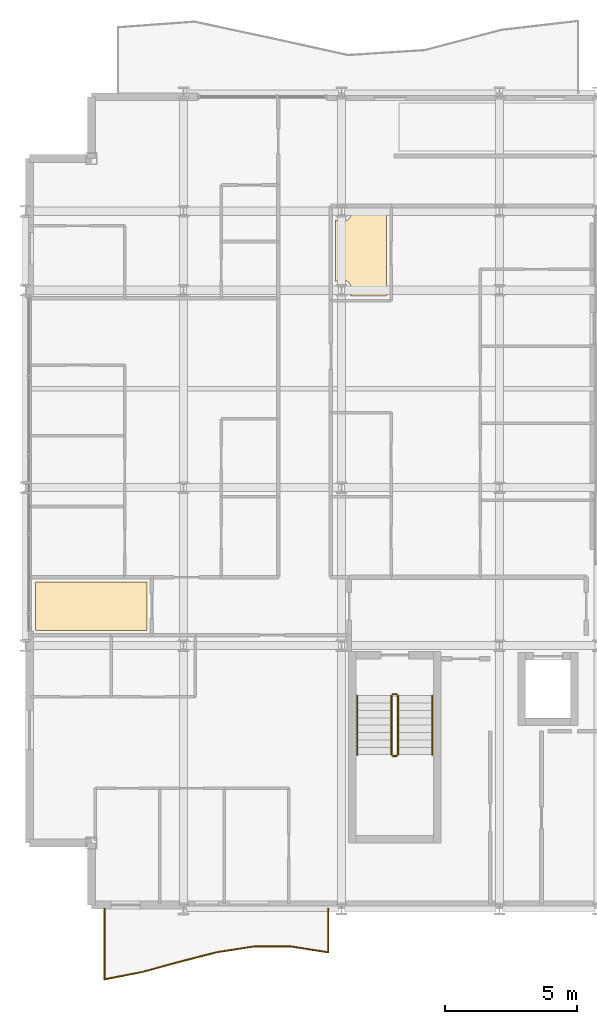
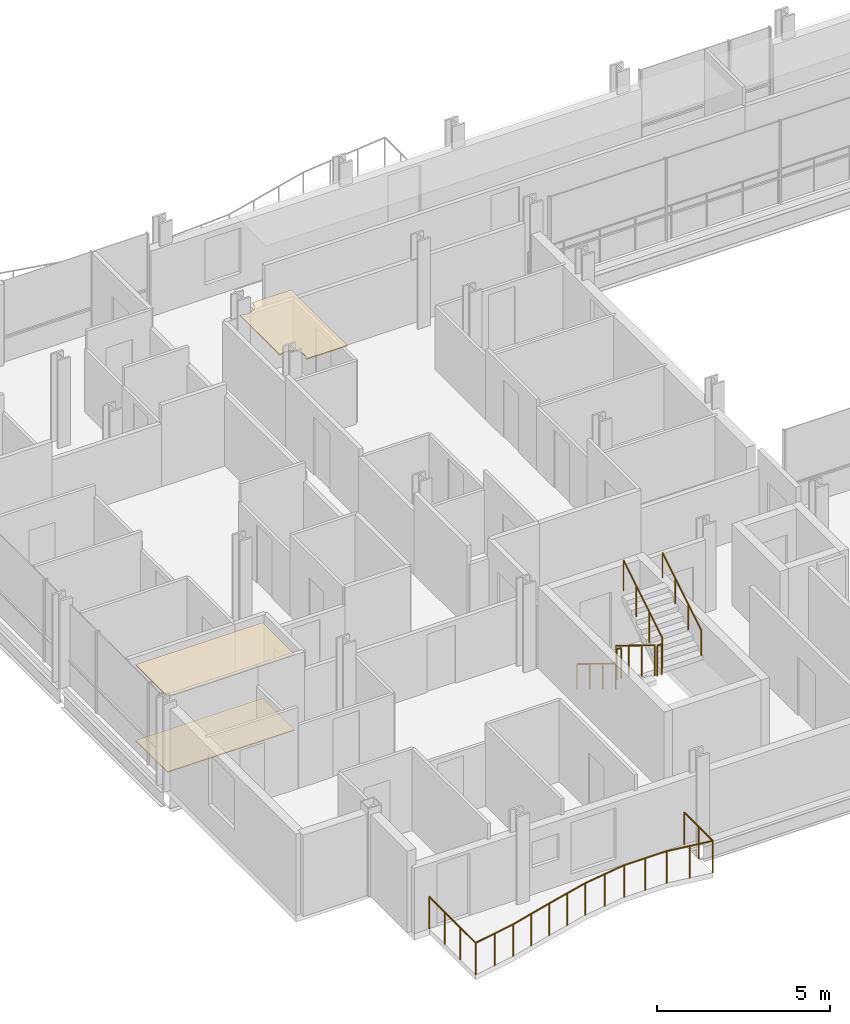
# One storey, part 38 of 41: 7 railings, 3 coverings.
"""IFC4 building model written with IfcOpenShell, lengths in metres."""

from ifc_helpers import new_model, si_unit, direction, frame, origin, origin_2d, place, context, subcontext, project, spatial, polyline, circle, outline, extrude, material, layer, layer_set, type_object, element, save


model = new_model("IFC4")

# Units and contexts
model_context = context("Model", 3, precision=1e-05, world=origin(), true_north=direction((0.0, 1.0)))
body_context = subcontext(model_context, "Body", "Model", "MODEL_VIEW")
ifc_project = project(units=[si_unit("LENGTHUNIT", "METRE"), si_unit("AREAUNIT", "SQUARE_METRE"), si_unit("VOLUMEUNIT", "CUBIC_METRE"), si_unit("PLANEANGLEUNIT", "RADIAN"), si_unit("MASSUNIT", "GRAM", prefix="KILO")], contexts=[model_context])

# Site, building, storey
site_placement = place(None, origin())
site = spatial("IfcSite", under=ifc_project, at=site_placement, CompositionType="ELEMENT")
building_placement = place(site_placement, origin())
building = spatial("IfcBuilding", under=site, at=building_placement, Name="Brevholm Reach", CompositionType="ELEMENT")
storey_placement = place(building_placement, frame((0.0, 0.0, 74.5)))
storey = spatial("IfcBuildingStorey", under=building, at=storey_placement, Name="L21", CompositionType="ELEMENT", Elevation=74.5)

# Coverings
ifc_material_1 = material(Name="Moisture-Resistant Skimmed Gypsum Plasterboard Ceiling", Category="gypsum")
ifc_layer_1 = layer(ifc_material_1, 0.030029296875)
ifc_layer_set_1 = layer_set([ifc_layer_1], Name="Moisture-Resistant Skimmed Gypsum Plasterboard Ceiling")
covering_type_1 = type_object("IfcCoveringType", Name="COV-CLG-GYP", PredefinedType="CEILING", material=ifc_layer_set_1)
covering_1_placement = place(storey_placement, frame((0.0, 0.0, 2.669921875)))
element("IfcCovering", 1, at=covering_1_placement, inside=storey, type_object=covering_type_1, Name="L21 Suspended Ceiling L21-31", PredefinedType="CEILING", context=body_context, shape_type="SweptSolid", body=[
    extrude(outline(polyline([(0.3798828125, 12.419921875), (4.615966796875, 12.419921875), (4.615966796875, 10.583984375), (0.3798828125, 10.583984375), (0.3798828125, 12.419921875)])), origin(), (0.0, 0.0, 1.0), 0.030029296875),
])
covering_2_placement = place(storey_placement, frame((0.0, 0.0, 2.669921875)))
element("IfcCovering", 2, at=covering_2_placement, inside=storey, type_object=covering_type_1, Name="L21 Suspended Ceiling L21-51", PredefinedType="CEILING", context=body_context, shape_type="SweptSolid", body=[
    extrude(outline(polyline([(13.708984375, 23.280029296875), (12.333984375, 23.280029296875), (12.352783203125, 23.311279296875), (12.36962890625, 23.346923828125), (12.3828125, 23.3837890625), (12.392333984375, 23.422119140625), (12.398193359375, 23.460693359375), (12.39990234375, 23.5), (12.398193359375, 23.539306640625), (12.392333984375, 23.577880859375), (12.3828125, 23.6162109375), (12.36962890625, 23.653076171875), (12.352783203125, 23.688720703125), (12.33251953125, 23.72216796875), (12.30908203125, 23.75390625), (12.28271484375, 23.78271484375), (12.25390625, 23.80908203125), (12.22216796875, 23.83251953125), (12.188720703125, 23.852783203125), (12.153076171875, 23.86962890625), (12.1162109375, 23.8828125), (12.077880859375, 23.892333984375), (12.039306640625, 23.898193359375), (12.0, 23.89990234375), (11.960693359375, 23.898193359375), (11.922119140625, 23.892333984375), (11.8837890625, 23.8828125), (11.846923828125, 23.86962890625), (11.811279296875, 23.852783203125), (11.783935546875, 23.836181640625), (11.783935546875, 26.163818359375), (11.811279296875, 26.147216796875), (11.846923828125, 26.13037109375), (11.8837890625, 26.1171875), (11.922119140625, 26.107666015625), (11.960693359375, 26.101806640625), (12.0, 26.10009765625), (12.039306640625, 26.101806640625), (12.077880859375, 26.107666015625), (12.1162109375, 26.1171875), (12.153076171875, 26.13037109375), (12.188720703125, 26.147216796875), (12.22216796875, 26.16748046875), (12.25390625, 26.19091796875), (12.28271484375, 26.21728515625), (12.30908203125, 26.24609375), (12.33251953125, 26.27783203125), (12.352783203125, 26.311279296875), (12.36962890625, 26.346923828125), (12.3828125, 26.3837890625), (12.392333984375, 26.422119140625), (12.398193359375, 26.460693359375), (12.39990234375, 26.5), (12.399169921875, 26.51611328125), (13.708984375, 26.51611328125), (13.708984375, 23.280029296875)])), origin(), (0.0, 0.0, 1.0), 0.030029296875),
])
ifc_material_2 = material(Name="Honed Portland-Aggregate Resin Terrazzo Flooring", Category="concrete")
ifc_layer_2 = layer(ifc_material_2, 0.031982421875)
ifc_layer_set_2 = layer_set([ifc_layer_2], Name="Honed Portland-Aggregate Resin Terrazzo Flooring")
covering_type_2 = type_object("IfcCoveringType", Name="COV-FLR-TRZ", PredefinedType="FLOORING", material=ifc_layer_set_2)
covering_3_placement = place(storey_placement, origin())
element("IfcCovering", 3, at=covering_3_placement, inside=storey, type_object=covering_type_2, Name="L21 Floor Finish L21-31", PredefinedType="FLOORING", context=body_context, shape_type="SweptSolid", body=[
    extrude(outline(polyline([(0.3798828125, 12.419921875), (4.615966796875, 12.419921875), (4.615966796875, 10.583984375), (0.3798828125, 10.583984375), (0.3798828125, 12.419921875)])), origin(), (0.0, 0.0, 1.0), 0.031982421875),
])

# Railings
ifc_material_3 = material(Name="Brushed Stainless Steel EN 1.4401 and Laminated Glass", Category="steel")
railing_type_1 = type_object("IfcRailingType", Name="RAL-BALC-1150", PredefinedType="BALUSTRADE", material=ifc_material_3)
railing_1_placement = place(storey_placement, frame((3.0, 0.0, 0.0)))
element("IfcRailing", 4, at=railing_1_placement, inside=storey, type_object=railing_type_1, Name="L21 Guard Balustrade RAL-L21-BAL-SW", PredefinedType="BALUSTRADE", context=body_context, shape_type="SweptSolid", body=[
    extrude(circle(Radius=0.02392578125, at=origin_2d()), frame((0.0, 0.0, 1.1259765625), z_axis=(0.0, -1.0, 0.0), x_axis=(1.0, 0.0, 0.0)), (0.0, 0.0, 1.0), 2.676513671875),
    extrude(circle(Radius=0.02392578125, at=origin_2d()), frame((0.0, -2.676513671875, 1.1259765625), z_axis=(0.98175336952, 0.190158674365, 0.0), x_axis=(-0.190158674365, 0.98175336952, 0.0)), (0.0, 0.0, 1.0), 1.443115234375),
    extrude(circle(Radius=0.02392578125, at=origin_2d()), frame((1.416748046875, -2.402099609375, 1.1259765625), z_axis=(0.964821360478, 0.262906337628, 0.0), x_axis=(-0.262906337628, 0.964821360478, 0.0)), (0.0, 0.0, 1.0), 1.46826171875),
    extrude(circle(Radius=0.02392578125, at=origin_2d()), frame((2.833251953125, -2.01611328125, 1.1259765625), z_axis=(0.968218696825, 0.250105088151, 0.0), x_axis=(-0.250105088151, 0.968218696825, 0.0)), (0.0, 0.0, 1.0), 1.463134765625),
    extrude(circle(Radius=0.02392578125, at=origin_2d()), frame((4.25, -1.650146484375, 1.1259765625), z_axis=(0.988082538492, 0.153924972393, 0.0), x_axis=(-0.153924972393, 0.988082538492, 0.0)), (0.0, 0.0, 1.0), 1.433837890625),
    extrude(circle(Radius=0.02392578125, at=origin_2d()), frame((5.666748046875, -1.429443359375, 1.1259765625), z_axis=(1.0, 0.0, 0.0), x_axis=(0.0, 1.0, 0.0)), (0.0, 0.0, 1.0), 1.41650390625),
    extrude(circle(Radius=0.02392578125, at=origin_2d()), frame((7.083251953125, -1.429443359375, 1.1259765625), z_axis=(0.988082538492, -0.153924972393, 0.0), x_axis=(0.153924972393, 0.988082538492, 0.0)), (0.0, 0.0, 1.0), 1.433837890625),
    extrude(circle(Radius=0.02392578125, at=origin_2d()), frame((8.5, -1.650146484375, 1.1259765625), z_axis=(0.0, 1.0, 0.0), x_axis=(-1.0, 0.0, 0.0)), (0.0, 0.0, 1.0), 1.650146484375),
    extrude(circle(Radius=0.02099609375, at=origin_2d()), origin(), (0.0, 0.0, 1.0), 1.101806640625),
    extrude(circle(Radius=0.02099609375, at=origin_2d()), frame((0.0, -0.89208984375, 0.0)), (0.0, 0.0, 1.0), 1.101806640625),
    extrude(circle(Radius=0.02099609375, at=origin_2d()), frame((0.0, -1.784423828125, 0.0)), (0.0, 0.0, 1.0), 1.101806640625),
    extrude(circle(Radius=0.02099609375, at=origin_2d()), frame((0.0, -2.676513671875, 0.0)), (0.0, 0.0, 1.0), 1.101806640625),
    extrude(circle(Radius=0.02099609375, at=origin_2d()), frame((0.70849609375, -2.539306640625, 0.0)), (0.0, 0.0, 1.0), 1.101806640625),
    extrude(circle(Radius=0.02099609375, at=origin_2d()), frame((1.416748046875, -2.402099609375, 0.0)), (0.0, 0.0, 1.0), 1.101806640625),
    extrude(circle(Radius=0.02099609375, at=origin_2d()), frame((2.125, -2.208984375, 0.0)), (0.0, 0.0, 1.0), 1.101806640625),
    extrude(circle(Radius=0.02099609375, at=origin_2d()), frame((2.833251953125, -2.01611328125, 0.0)), (0.0, 0.0, 1.0), 1.101806640625),
    extrude(circle(Radius=0.02099609375, at=origin_2d()), frame((3.54150390625, -1.8330078125, 0.0)), (0.0, 0.0, 1.0), 1.101806640625),
    extrude(circle(Radius=0.02099609375, at=origin_2d()), frame((4.25, -1.650146484375, 0.0)), (0.0, 0.0, 1.0), 1.101806640625),
    extrude(circle(Radius=0.02099609375, at=origin_2d()), frame((4.95849609375, -1.539794921875, 0.0)), (0.0, 0.0, 1.0), 1.101806640625),
    extrude(circle(Radius=0.02099609375, at=origin_2d()), frame((5.666748046875, -1.429443359375, 0.0)), (0.0, 0.0, 1.0), 1.101806640625),
    extrude(circle(Radius=0.02099609375, at=origin_2d()), frame((6.375, -1.429443359375, 0.0)), (0.0, 0.0, 1.0), 1.101806640625),
    extrude(circle(Radius=0.02099609375, at=origin_2d()), frame((7.083251953125, -1.429443359375, 0.0)), (0.0, 0.0, 1.0), 1.101806640625),
    extrude(circle(Radius=0.02099609375, at=origin_2d()), frame((7.79150390625, -1.539794921875, 0.0)), (0.0, 0.0, 1.0), 1.101806640625),
    extrude(circle(Radius=0.02099609375, at=origin_2d()), frame((8.5, -1.650146484375, 0.0)), (0.0, 0.0, 1.0), 1.101806640625),
    extrude(circle(Radius=0.02099609375, at=origin_2d()), frame((8.5, -0.8251953125, 0.0)), (0.0, 0.0, 1.0), 1.101806640625),
    extrude(circle(Radius=0.02099609375, at=origin_2d()), frame((8.5, 0.0, 0.0)), (0.0, 0.0, 1.0), 1.101806640625),
])
ifc_material_4 = material(Name="Brushed Stainless Steel EN 1.4401 Continuous Handrail", Category="steel")
railing_type_2 = type_object("IfcRailingType", Name="RAL-HND-950", PredefinedType="HANDRAIL", material=ifc_material_4)
railing_2_placement = place(storey_placement, frame((12.60009765625, 8.10009765625, 0.172119140625)))
element("IfcRailing", 5, at=railing_2_placement, inside=storey, type_object=railing_type_2, Name="L21 ST-1 stair handrail 1", PredefinedType="HANDRAIL", context=body_context, shape_type="SweptSolid", body=[
    extrude(circle(Radius=0.02392578125, at=origin_2d()), frame((0.0, 0.0, 0.8857421875), z_axis=(0.0, -0.851747552033, 0.523952390591), x_axis=(1.0, 0.0, 0.0)), (0.0, 0.0, 1.0), 2.6298828125),
    extrude(circle(Radius=0.02099609375, at=origin_2d()), origin(), (0.0, 0.0, 1.0), 0.86181640625),
    extrude(circle(Radius=0.02099609375, at=origin_2d()), frame((0.0, -0.74658203125, 0.459228515625)), (0.0, 0.0, 1.0), 0.86181640625),
    extrude(circle(Radius=0.02099609375, at=origin_2d()), frame((0.0, -1.493408203125, 0.918701171875)), (0.0, 0.0, 1.0), 0.86181640625),
    extrude(circle(Radius=0.02099609375, at=origin_2d()), frame((0.0, -2.239990234375, 1.3779296875)), (0.0, 0.0, 1.0), 0.86181640625),
])
railing_3_placement = place(storey_placement, frame((15.449951171875, 5.860107421875, 1.72216796875)))
element("IfcRailing", 6, at=railing_3_placement, inside=storey, type_object=railing_type_2, Name="L21 ST-1 stair handrail 2", PredefinedType="HANDRAIL", context=body_context, shape_type="SweptSolid", body=[
    extrude(circle(Radius=0.02392578125, at=origin_2d()), frame((0.0, 0.0, 0.8857421875), z_axis=(0.0, 0.851747552033, 0.523952390591), x_axis=(-1.0, 0.0, 0.0)), (0.0, 0.0, 1.0), 2.6298828125),
    extrude(circle(Radius=0.02099609375, at=origin_2d()), origin(), (0.0, 0.0, 1.0), 0.86181640625),
    extrude(circle(Radius=0.02099609375, at=origin_2d()), frame((0.0, 0.74658203125, 0.459228515625)), (0.0, 0.0, 1.0), 0.86181640625),
    extrude(circle(Radius=0.02099609375, at=origin_2d()), frame((0.0, 1.493408203125, 0.918701171875)), (0.0, 0.0, 1.0), 0.86181640625),
    extrude(circle(Radius=0.02099609375, at=origin_2d()), frame((0.0, 2.239990234375, 1.3779296875)), (0.0, 0.0, 1.0), 0.86181640625),
])
ifc_material_5 = material(Name="Painted Tubular Galvanised Steel S275JR Stair Guard", Category="steel")
railing_type_3 = type_object("IfcRailingType", Name="RAL-STG-1120", PredefinedType="BALUSTRADE", material=ifc_material_5)
railing_4_placement = place(storey_placement, frame((13.89990234375, 8.10009765625, 0.172119140625)))
element("IfcRailing", 7, at=railing_4_placement, inside=storey, type_object=railing_type_3, Name="L21 ST-1 stair guard 1", PredefinedType="BALUSTRADE", context=body_context, shape_type="SweptSolid", body=[
    extrude(circle(Radius=0.02392578125, at=origin_2d()), frame((0.0, 0.0, 1.076171875), z_axis=(0.0, -0.851747552033, 0.523952390591), x_axis=(1.0, 0.0, 0.0)), (0.0, 0.0, 1.0), 2.6298828125),
    extrude(circle(Radius=0.02099609375, at=origin_2d()), origin(), (0.0, 0.0, 1.0), 1.052001953125),
    extrude(circle(Radius=0.02099609375, at=origin_2d()), frame((0.0, -0.74658203125, 0.459228515625)), (0.0, 0.0, 1.0), 1.052001953125),
    extrude(circle(Radius=0.02099609375, at=origin_2d()), frame((0.0, -1.493408203125, 0.918701171875)), (0.0, 0.0, 1.0), 1.052001953125),
    extrude(circle(Radius=0.02099609375, at=origin_2d()), frame((0.0, -2.239990234375, 1.3779296875)), (0.0, 0.0, 1.0), 1.052001953125),
])
railing_5_placement = place(storey_placement, frame((13.949951171875, 5.81005859375, 1.550048828125)))
element("IfcRailing", 8, at=railing_5_placement, inside=storey, type_object=railing_type_3, Name="L21 ST-1 stair guard 2", PredefinedType="BALUSTRADE", context=body_context, shape_type="SweptSolid", body=[
    extrude(circle(Radius=0.02392578125, at=origin_2d()), frame((0.0, 0.0, 1.076171875), z_axis=(1.0, 0.0, 0.0), x_axis=(0.0, 1.0, 0.0)), (0.0, 0.0, 1.0), 0.150146484375),
    extrude(circle(Radius=0.02099609375, at=origin_2d()), origin(), (0.0, 0.0, 1.0), 1.052001953125),
    extrude(circle(Radius=0.02099609375, at=origin_2d()), frame((0.150146484375, 0.0, 0.0)), (0.0, 0.0, 1.0), 1.052001953125),
])
railing_6_placement = place(storey_placement, frame((14.14990234375, 5.860107421875, 1.72216796875)))
element("IfcRailing", 9, at=railing_6_placement, inside=storey, type_object=railing_type_3, Name="L21 ST-1 stair guard 3", PredefinedType="BALUSTRADE", context=body_context, shape_type="SweptSolid", body=[
    extrude(circle(Radius=0.02392578125, at=origin_2d()), frame((0.0, 0.0, 1.076171875), z_axis=(0.0, 0.851747552033, 0.523952390591), x_axis=(-1.0, 0.0, 0.0)), (0.0, 0.0, 1.0), 2.6298828125),
    extrude(circle(Radius=0.02099609375, at=origin_2d()), origin(), (0.0, 0.0, 1.0), 1.052001953125),
    extrude(circle(Radius=0.02099609375, at=origin_2d()), frame((0.0, 0.74658203125, 0.459228515625)), (0.0, 0.0, 1.0), 1.052001953125),
    extrude(circle(Radius=0.02099609375, at=origin_2d()), frame((0.0, 1.493408203125, 0.918701171875)), (0.0, 0.0, 1.0), 1.052001953125),
    extrude(circle(Radius=0.02099609375, at=origin_2d()), frame((0.0, 2.239990234375, 1.3779296875)), (0.0, 0.0, 1.0), 1.052001953125),
])
railing_7_placement = place(storey_placement, frame((13.949951171875, 8.14990234375, 0.0)))
element("IfcRailing", 10, at=railing_7_placement, inside=storey, type_object=railing_type_3, Name="L21 ST-1 stair guard 4", PredefinedType="BALUSTRADE", context=body_context, shape_type="SweptSolid", body=[
    extrude(circle(Radius=0.02392578125, at=origin_2d()), frame((0.0, 0.0, 1.076171875), z_axis=(1.0, 0.0, 0.0), x_axis=(0.0, 1.0, 0.0)), (0.0, 0.0, 1.0), 0.150146484375),
    extrude(circle(Radius=0.02099609375, at=origin_2d()), origin(), (0.0, 0.0, 1.0), 1.052001953125),
    extrude(circle(Radius=0.02099609375, at=origin_2d()), frame((0.150146484375, 0.0, 0.0)), (0.0, 0.0, 1.0), 1.052001953125),
])

save(model, "model.ifc")
